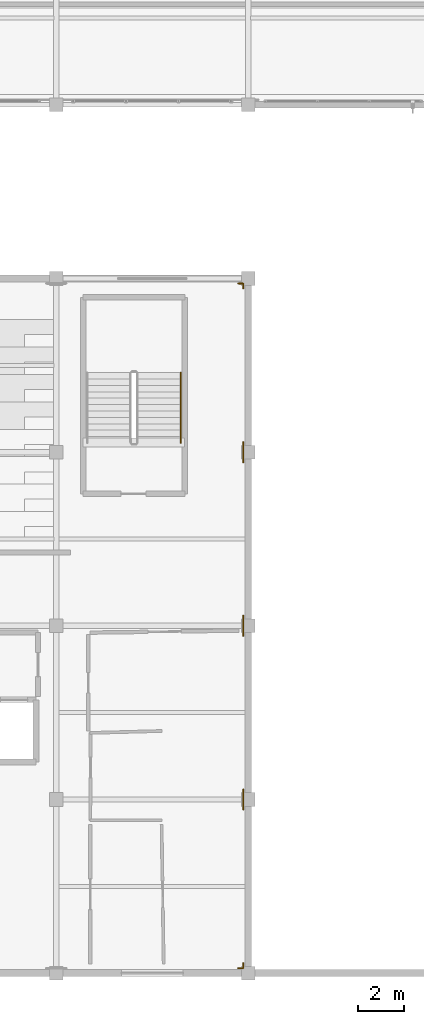
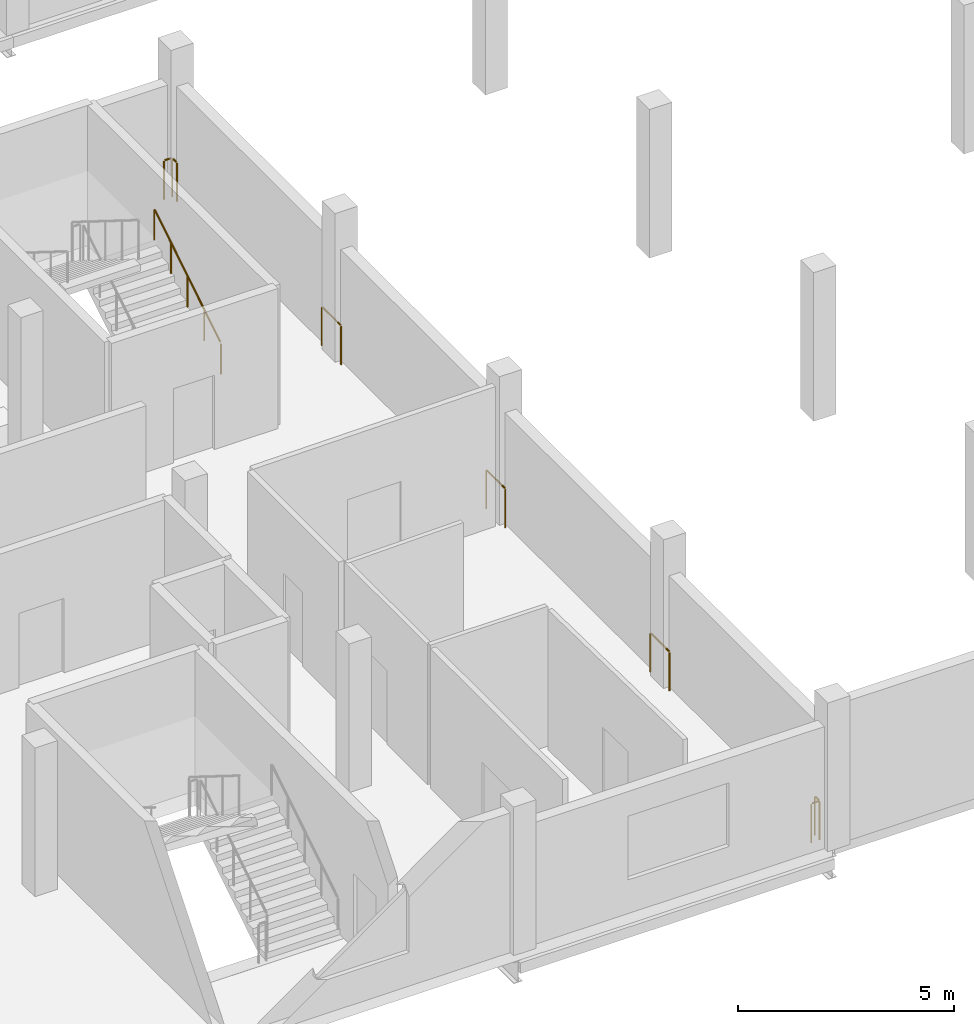
# One storey, part 145 of 151: 6 railings.
"""IFC4 building model written with IfcOpenShell, lengths in metres."""

from ifc_helpers import new_model, si_unit, direction, frame, origin, origin_2d, place, context, subcontext, project, spatial, circle, extrude, material, type_object, element, save


model = new_model("IFC4")

# Units and contexts
model_context = context("Model", 3, precision=1e-05, world=origin(), true_north=direction((0.0, 1.0)))
body_context = subcontext(model_context, "Body", "Model", "MODEL_VIEW")
ifc_project = project(units=[si_unit("LENGTHUNIT", "METRE"), si_unit("AREAUNIT", "SQUARE_METRE"), si_unit("VOLUMEUNIT", "CUBIC_METRE"), si_unit("PLANEANGLEUNIT", "RADIAN"), si_unit("MASSUNIT", "GRAM", prefix="KILO")], contexts=[model_context])

# Site, building, storey
site_placement = place(None, origin())
site = spatial("IfcSite", under=ifc_project, at=site_placement, CompositionType="ELEMENT")
building_placement = place(site_placement, origin())
building = spatial("IfcBuilding", under=site, at=building_placement, Name="Zuvorla Pavilion Media Centre", CompositionType="ELEMENT")
storey_placement = place(building_placement, frame((0.0, 0.0, 13.800048828125)))
storey = spatial("IfcBuildingStorey", under=building, at=storey_placement, Name="L03", CompositionType="ELEMENT", Elevation=13.800048828125)

# Railings
ifc_material_1 = material(Name="Powder-coated steel balustrade guard", Category="steel")
railing_type_1 = type_object("IfcRailingType", Name="RL-INT-GRD", PredefinedType="BALUSTRADE", material=ifc_material_1)
railing_1_placement = place(storey_placement, frame((108.360107421875, 36.179931640625, 0.0)))
element("IfcRailing", 1, at=railing_1_placement, inside=storey, type_object=railing_type_1, Name="L03 slab edge guard 96", PredefinedType="BALUSTRADE", context=body_context, shape_type="SweptSolid", body=[
    extrude(circle(Radius=0.02392578125, at=origin_2d()), frame((0.02880859375, 0.0, 1.09619140625), z_axis=(1.0, 0.0, 0.0), x_axis=(0.0, 1.0, 0.0)), (0.0, 0.0, 1.0), 0.162353515625),
    extrude(circle(Radius=0.02392578125, at=origin_2d()), frame((0.219970703125, -0.02880859375, 1.09619140625), z_axis=(0.0, -1.0, 0.0), x_axis=(1.0, 0.0, 0.0)), (0.0, 0.0, 1.0), 0.162353515625),
    extrude(circle(Radius=0.02099609375, at=origin_2d()), origin(), (0.0, 0.0, 1.0), 1.070068359375),
    extrude(circle(Radius=0.02099609375, at=origin_2d()), frame((0.219970703125, 0.0, 0.0)), (0.0, 0.0, 1.0), 1.070068359375),
    extrude(circle(Radius=0.02099609375, at=origin_2d()), frame((0.219970703125, -0.219970703125, 0.0)), (0.0, 0.0, 1.0), 1.070068359375),
])
for number, where, name in (
    (2, (108.580078125, 29.239990234375, 0.0), "L03 slab edge guard 97"),
    (3, (108.580078125, 21.639892578125, 0.0), "L03 slab edge guard 98"),
):
    element("IfcRailing", number, at=place(storey_placement, frame(where)), inside=storey, type_object=railing_type_1, Name=name, PredefinedType="BALUSTRADE", context=body_context, shape_type="SweptSolid", body=[
        extrude(circle(Radius=0.02392578125, at=origin_2d()), frame((0.0, -0.02880859375, 1.09619140625), z_axis=(0.0, -1.0, 0.0), x_axis=(1.0, 0.0, 0.0)), (0.0, 0.0, 1.0), 0.822265625),
        extrude(circle(Radius=0.02099609375, at=origin_2d()), origin(), (0.0, 0.0, 1.0), 1.070068359375),
        extrude(circle(Radius=0.02099609375, at=origin_2d()), frame((0.0, -0.8798828125, 0.0)), (0.0, 0.0, 1.0), 1.070068359375),
    ])
railing_2_placement = place(storey_placement, frame((108.580078125, 14.0400390625, 0.0)))
element("IfcRailing", 4, at=railing_2_placement, inside=storey, type_object=railing_type_1, Name="L03 slab edge guard 99", PredefinedType="BALUSTRADE", context=body_context, shape_type="SweptSolid", body=[
    extrude(circle(Radius=0.02392578125, at=origin_2d()), frame((0.0, -0.02880859375, 1.09619140625), z_axis=(0.0, -1.0, 0.0), x_axis=(1.0, 0.0, 0.0)), (0.0, 0.0, 1.0), 0.822509765625),
    extrude(circle(Radius=0.02099609375, at=origin_2d()), origin(), (0.0, 0.0, 1.0), 1.070068359375),
    extrude(circle(Radius=0.02099609375, at=origin_2d()), frame((0.0, -0.880126953125, 0.0)), (0.0, 0.0, 1.0), 1.070068359375),
])
railing_3_placement = place(storey_placement, frame((108.580078125, 6.43994140625, 0.0)))
element("IfcRailing", 5, at=railing_3_placement, inside=storey, type_object=railing_type_1, Name="L03 slab edge guard 100", PredefinedType="BALUSTRADE", context=body_context, shape_type="SweptSolid", body=[
    extrude(circle(Radius=0.02392578125, at=origin_2d()), frame((0.0, -0.02880859375, 1.09619140625), z_axis=(0.0, -1.0, 0.0), x_axis=(1.0, 0.0, 0.0)), (0.0, 0.0, 1.0), 0.162353515625),
    extrude(circle(Radius=0.02392578125, at=origin_2d()), frame((-0.02880859375, -0.219970703125, 1.09619140625), z_axis=(-1.0, 0.0, 0.0), x_axis=(0.0, -1.0, 0.0)), (0.0, 0.0, 1.0), 0.162353515625),
    extrude(circle(Radius=0.02099609375, at=origin_2d()), origin(), (0.0, 0.0, 1.0), 1.070068359375),
    extrude(circle(Radius=0.02099609375, at=origin_2d()), frame((0.0, -0.219970703125, 0.0)), (0.0, 0.0, 1.0), 1.070068359375),
    extrude(circle(Radius=0.02099609375, at=origin_2d()), frame((-0.219970703125, -0.219970703125, 0.0)), (0.0, 0.0, 1.0), 1.070068359375),
])
ifc_material_2 = material(Name="Brushed stainless steel tubular handrail", Category="steel")
railing_type_2 = type_object("IfcRailingType", Name="RL-INT-HND", PredefinedType="HANDRAIL", material=ifc_material_2)
railing_4_placement = place(storey_placement, frame((105.85009765625, 29.199951171875, 0.175048828125)))
element("IfcRailing", 6, at=railing_4_placement, inside=storey, type_object=railing_type_2, Name="L03 ST-04 handrail 1", PredefinedType="HANDRAIL", context=body_context, shape_type="SweptSolid", body=[
    extrude(circle(Radius=0.02392578125, at=origin_2d()), frame((0.0, 0.0244140625, 0.89111328125), z_axis=(0.0, 0.848028513186, 0.529950602248), x_axis=(-1.0, 0.0, 0.0)), (0.0, 0.0, 1.0), 3.57421875),
    extrude(circle(Radius=0.02099609375, at=origin_2d()), origin(), (0.0, 0.0, 1.0), 0.849853515625),
    extrude(circle(Radius=0.02099609375, at=origin_2d()), frame((0.0, 0.77001953125, 0.481201171875)), (0.0, 0.0, 1.0), 0.849853515625),
    extrude(circle(Radius=0.02099609375, at=origin_2d()), frame((0.0, 1.5400390625, 0.96240234375)), (0.0, 0.0, 1.0), 0.849853515625),
    extrude(circle(Radius=0.02099609375, at=origin_2d()), frame((0.0, 2.31005859375, 1.443603515625)), (0.0, 0.0, 1.0), 0.849853515625),
    extrude(circle(Radius=0.02099609375, at=origin_2d()), frame((0.0, 3.080078125, 1.9248046875)), (0.0, 0.0, 1.0), 0.849853515625),
])

save(model, "model.ifc")
